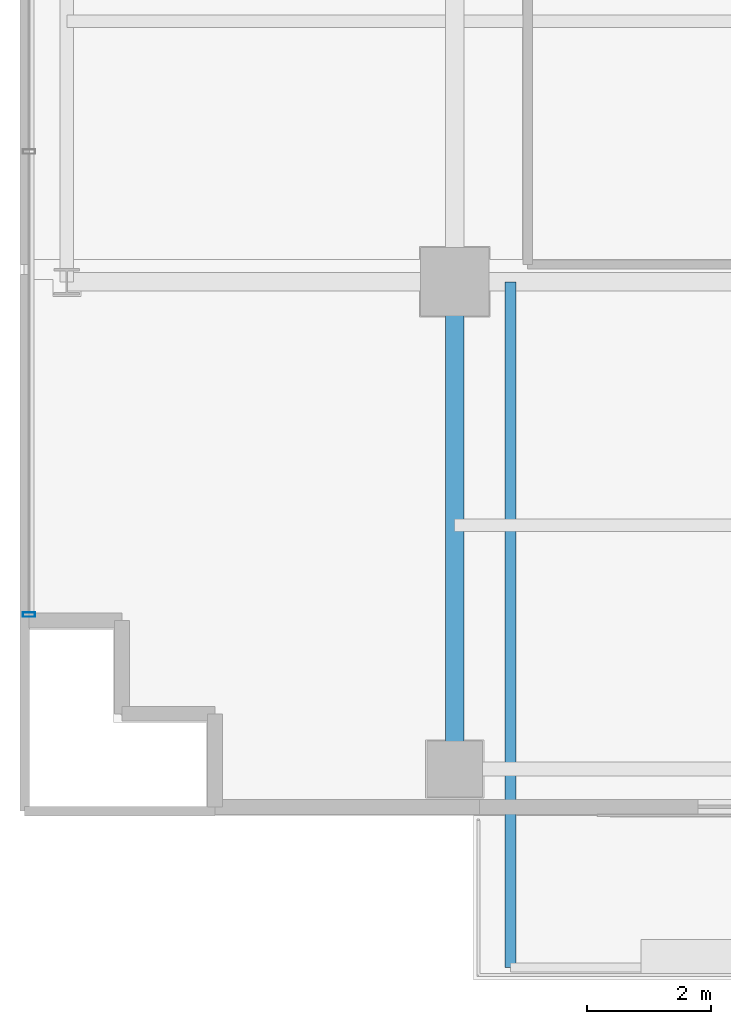
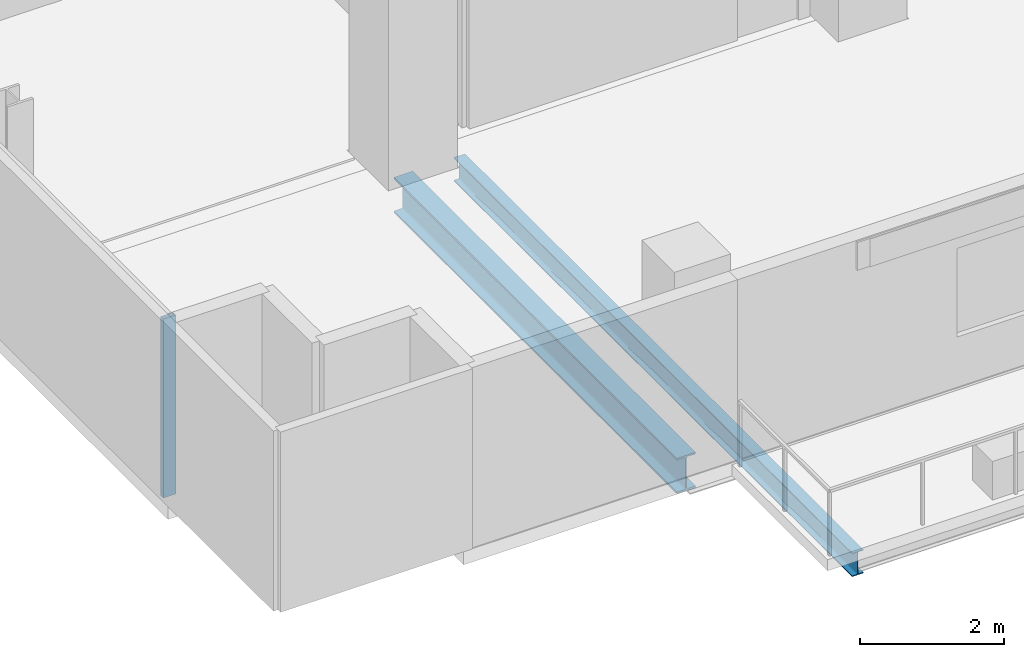
# One storey, part 2 of 27: 2 beams, 1 member, 1 element without a shape of its own.
"""IFC4 building model written with IfcOpenShell, lengths in metres."""

from ifc_helpers import new_model, si_unit, direction, frame, origin, origin_2d, place, context, subcontext, project, spatial, hollow_rectangle, i_section, extrude, source, transform, mapped, material, layer, layer_set, material_profile, profile_set, type_object, element, aggregate, save


model = new_model("IFC4")

# Units and contexts
model_context = context("Model", 3, precision=1e-05, world=origin(), true_north=direction((0.0, 1.0)))
body_context = subcontext(model_context, "Body", "Model", "MODEL_VIEW")
ifc_project = project(units=[si_unit("LENGTHUNIT", "METRE"), si_unit("AREAUNIT", "SQUARE_METRE"), si_unit("VOLUMEUNIT", "CUBIC_METRE"), si_unit("PLANEANGLEUNIT", "RADIAN"), si_unit("MASSUNIT", "GRAM", prefix="KILO")], contexts=[model_context])

# Site, building, storey
site_placement = place(None, origin())
site = spatial("IfcSite", under=ifc_project, at=site_placement, CompositionType="ELEMENT")
building_placement = place(site_placement, origin())
building = spatial("IfcBuilding", under=site, at=building_placement, Name="Zarnakvel Exchange Tower", CompositionType="ELEMENT")
storey_placement = place(building_placement, frame((0.0, 0.0, 76.89990234375)))
storey = spatial("IfcBuildingStorey", under=building, at=storey_placement, Name="L21", CompositionType="ELEMENT", Elevation=76.89990234375)

# Beams
ifc_material_1 = material(Name="Steel S355", Category="steel")
ifc_material_profile_1 = material_profile(ifc_material_1, i_section(OverallWidth=0.179931640625, OverallDepth=0.39990234375, WebThickness=0.008544921875, FlangeThickness=0.013427734375, FilletRadius=0.02099609375, at=origin_2d()))
ifc_profile_set_1 = profile_set([ifc_material_profile_1], Name="Steel S355")
beam_type_1 = type_object("IfcBeamType", Name="B-06", PredefinedType="JOIST", material=ifc_profile_set_1)
beam_1_placement = place(storey_placement, frame((-20.699951171875, -9.60009765625, -0.4248046875), z_axis=(0.0, -1.0, 0.0), x_axis=(1.0, 0.0, 0.0)))
element("IfcBeam", 1, at=beam_1_placement, inside=storey, type_object=beam_type_1, Name="L21 Continuous Back-Spanned Balcony Beam W", PredefinedType="JOIST", context=body_context, shape_type="SweptSolid", body=[
    extrude(i_section(OverallWidth=0.179931640625, OverallDepth=0.39990234375, WebThickness=0.008544921875, FlangeThickness=0.013427734375, FilletRadius=0.02099609375, at=origin_2d()), origin(), (0.0, 0.0, 1.0), 11.0498046875),
])
ifc_material_profile_2 = material_profile(ifc_material_1, i_section(OverallWidth=0.300048828125, OverallDepth=0.60009765625, WebThickness=0.015380859375, FlangeThickness=0.030029296875, FilletRadius=0.027099609375, at=origin_2d()))
ifc_profile_set_2 = profile_set([ifc_material_profile_2], Name="Steel S355")
beam_type_2 = type_object("IfcBeamType", Name="G-04", PredefinedType="BEAM", material=ifc_profile_set_2)
beam_2_placement = place(storey_placement, frame((-21.60009765625, -17.449951171875, -0.52490234375), z_axis=(0.0, 1.0, 0.0), x_axis=(-1.0, 0.0, 0.0)))
element("IfcBeam", 2, at=beam_2_placement, inside=storey, type_object=beam_type_2, Name="L21 Tower N-S Frame Beam", PredefinedType="BEAM", context=body_context, shape_type="SweptSolid", body=[
    extrude(i_section(OverallWidth=0.300048828125, OverallDepth=0.60009765625, WebThickness=0.015380859375, FlangeThickness=0.030029296875, FilletRadius=0.027099609375, at=origin_2d()), origin(), (0.0, 0.0, 1.0), 7.849853515625),
])

# Curtain wall, member
ifc_material_2 = material(Name="Architectural Bronze Anodised Aluminium", Category="aluminium")
ifc_layer = layer(ifc_material_2, 0.199951171875)
ifc_layer_set = layer_set([ifc_layer], Name="Architectural Bronze Anodised Aluminium")
curtain_wall_type = type_object("IfcCurtainWallType", Name="CW-04", PredefinedType="NOTDEFINED", material=ifc_layer_set)
curtain_wall_placement = place(storey_placement, origin())
curtain_wall = element("IfcCurtainWall", 3, at=curtain_wall_placement, inside=storey, type_object=curtain_wall_type, Name="L21 Curtain Wall CW-L21-W1 (CW-04)", PredefinedType="NOTDEFINED")
ifc_material_profile_3 = material_profile(ifc_material_2, hollow_rectangle(XDim=0.199951171875, YDim=0.074951171875, WallThickness=0.0048828125, at=origin_2d()))
ifc_profile_set_3 = profile_set([ifc_material_profile_3], Name="Architectural Bronze Anodised Aluminium")
member_type = type_object("IfcMemberType", Name="CWM-04", PredefinedType="MULLION", material=ifc_profile_set_3)
shared_shape = source(origin(), body_context, "Body", "SweptSolid", [
    extrude(hollow_rectangle(XDim=0.199951171875, YDim=0.074951171875, WallThickness=0.0048828125, at=origin_2d()), origin(), (0.0, 0.0, 1.0), 3.030029296875),
])
member_placement = place(storey_placement, frame((-28.4599609375, -14.96240234375, 0.0), z_axis=(0.0, 0.0, 1.0), x_axis=(-1.0, 0.0, 0.0)))
member = element("IfcMember", 4, at=member_placement, type_object=member_type, Name="CW-04 mullion 1", PredefinedType="MULLION", context=body_context, shape_type="MappedRepresentation", body=[
    mapped(shared_shape, transform((0.0, 0.0, 0.0), x_axis=(1.0, 0.0, 0.0), y_axis=(0.0, 1.0, 0.0), z_axis=(0.0, 0.0, 1.0), scale=1.0)),
])
aggregate(curtain_wall, [member])

save(model, "model.ifc")
